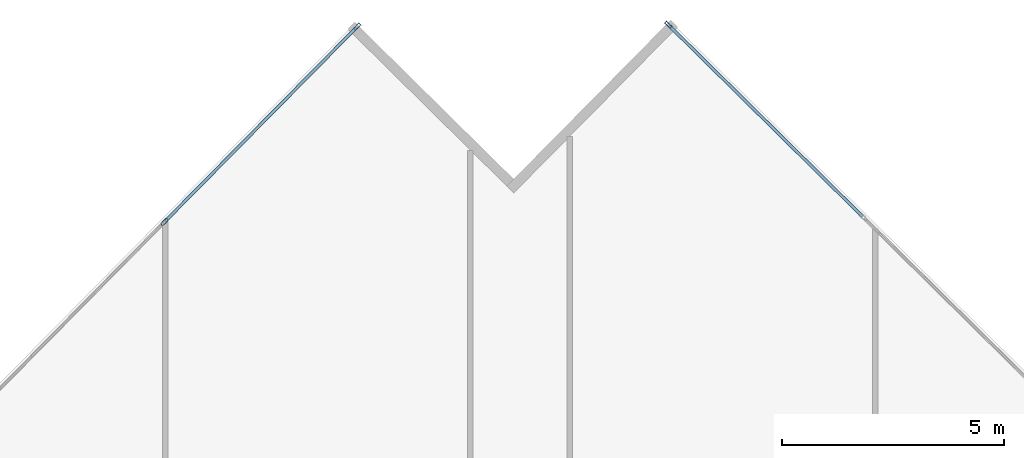
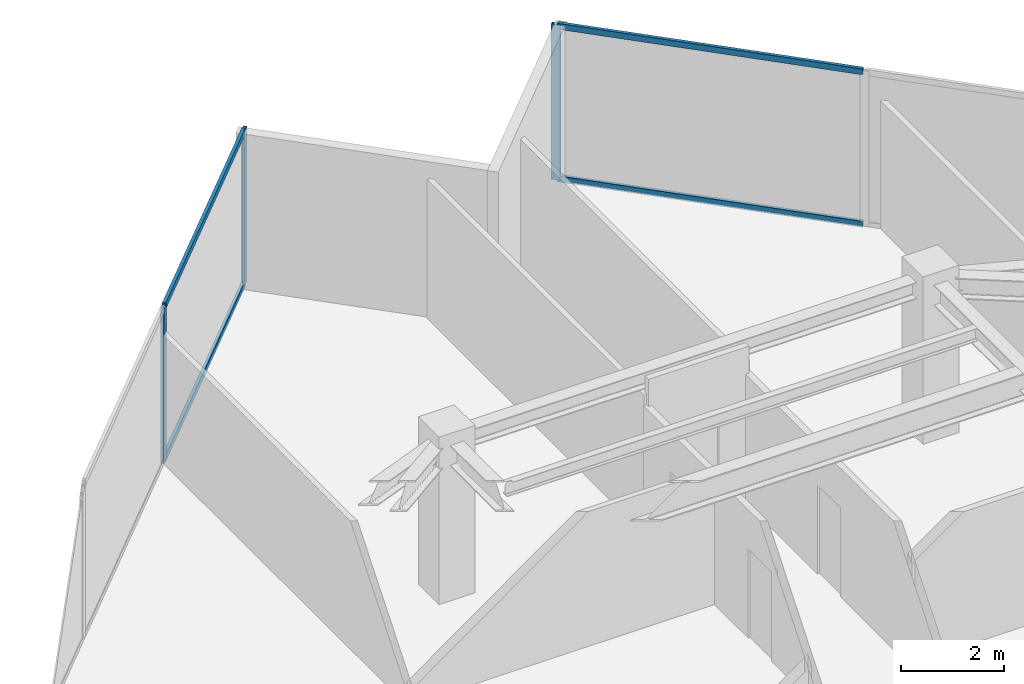
# One storey, part 16 of 24: 7 members, 2 elements without a shape of their own.
"""IFC4 building model written with IfcOpenShell, lengths in metres."""

from ifc_helpers import new_model, si_unit, direction, frame, origin, origin_2d, place, context, subcontext, project, spatial, hollow_rectangle, extrude, source, transform, mapped, material, material_profile, profile_set, type_object, type_shapes, element, aggregate, save


model = new_model("IFC4")

# Units and contexts
model_context = context("Model", 3, precision=1e-05, world=origin(), true_north=direction((0.0, 1.0)))
body_context = subcontext(model_context, "Body", "Model", "MODEL_VIEW")
ifc_project = project(units=[si_unit("LENGTHUNIT", "METRE"), si_unit("AREAUNIT", "SQUARE_METRE"), si_unit("VOLUMEUNIT", "CUBIC_METRE"), si_unit("PLANEANGLEUNIT", "RADIAN"), si_unit("MASSUNIT", "GRAM", prefix="KILO")], contexts=[model_context])

# Site, building, storey
site_placement = place(None, origin())
site = spatial("IfcSite", under=ifc_project, at=site_placement, CompositionType="ELEMENT")
building_placement = place(site_placement, origin())
building = spatial("IfcBuilding", under=site, at=building_placement, Name="Krantzveldt Concourse Tower", CompositionType="ELEMENT")
storey_placement = place(building_placement, frame((0.0, 0.0, 231.0)))
storey = spatial("IfcBuildingStorey", under=building, at=storey_placement, Name="L56", CompositionType="ELEMENT", Elevation=231.0)

# Curtain wall, members
ifc_material = material(Name="Anodised aluminium 6063-T6", Category="aluminium")
curtain_wall_type = type_object("IfcCurtainWallType", Name="CW3", PredefinedType="USERDEFINED", material=ifc_material)
curtain_wall_1_placement = place(storey_placement, origin())
curtain_wall_1 = element("IfcCurtainWall", 1, at=curtain_wall_1_placement, inside=storey, type_object=curtain_wall_type, Name="CW-L56-F01", ObjectType="UNITISED CURTAIN WALL", PredefinedType="USERDEFINED")
ifc_material_profile_1 = material_profile(ifc_material, hollow_rectangle(XDim=0.070068359375, YDim=0.179931640625, WallThickness=0.0048828125, at=origin_2d()), Name="Anodised aluminium 6063-T6", Category="aluminium")
ifc_profile_set_1 = profile_set([ifc_material_profile_1], Name="Anodised aluminium 6063-T6 - ALU-MULL 180x70x5")
member_type_1 = type_object("IfcMemberType", Name="CW-MUL-180", PredefinedType="MULLION", material=ifc_profile_set_1)
shared_shape_1 = source(origin(), body_context, "Body", "SweptSolid", [
    extrude(hollow_rectangle(XDim=0.070068359375, YDim=0.179931640625, WallThickness=0.0048828125, at=origin_2d()), origin(), (0.0, 0.0, 1.0), 3.669921875),
])
type_shapes(member_type_1, [shared_shape_1])
member_1_placement = place(storey_placement, frame((32.33740234375, 52.0439453125, 0.0), z_axis=(0.0, 0.0, 1.0), x_axis=(0.711719700179, -0.702463570854, 0.0)))
member_1 = element("IfcMember", 2, at=member_1_placement, type_object=member_type_1, Name="CW-Z34 mullion 1", PredefinedType="MULLION", context=body_context, shape_type="MappedRepresentation", body=[
    mapped(shared_shape_1, transform((0.0, 0.0, 0.0), x_axis=(1.0, 0.0, 0.0), y_axis=(0.0, 1.0, 0.0), z_axis=(0.0, 0.0, 1.0), scale=1.0)),
])
member_2_placement = place(storey_placement, frame((28.006591796875, 47.65625, 0.0), z_axis=(0.0, 0.0, 1.0), x_axis=(0.711719700179, -0.702463570854, 0.0)))
member_2 = element("IfcMember", 3, at=member_2_placement, type_object=member_type_1, Name="CW-Z34 mullion 2", PredefinedType="MULLION", context=body_context, shape_type="MappedRepresentation", body=[
    mapped(shared_shape_1, transform((0.0, 0.0, 0.0), x_axis=(1.0, 0.0, 0.0), y_axis=(0.0, 1.0, 0.0), z_axis=(0.0, 0.0, 1.0), scale=1.0)),
])

# Curtain wall, member
curtain_wall_2_placement = place(storey_placement, origin())
curtain_wall_2 = element("IfcCurtainWall", 4, at=curtain_wall_2_placement, inside=storey, type_object=curtain_wall_type, Name="CW-L56-F10", ObjectType="UNITISED CURTAIN WALL", PredefinedType="USERDEFINED")
member_3_placement = place(storey_placement, frame((39.33056640625, 52.08984375, 0.0), z_axis=(0.0, 0.0, 1.0), x_axis=(-0.702463570854, -0.711719700179, 0.0)))
member_3 = element("IfcMember", 5, at=member_3_placement, type_object=member_type_1, Name="CW-Z34 mullion 6", PredefinedType="MULLION", context=body_context, shape_type="MappedRepresentation", body=[
    mapped(shared_shape_1, transform((0.0, 0.0, 0.0), x_axis=(1.0, 0.0, 0.0), y_axis=(0.0, 1.0, 0.0), z_axis=(0.0, 0.0, 1.0), scale=1.0)),
])

# Member
ifc_material_profile_2 = material_profile(ifc_material, hollow_rectangle(XDim=0.070068359375, YDim=0.139892578125, WallThickness=0.0048828125, at=origin_2d()), Name="Anodised aluminium 6063-T6", Category="aluminium")
ifc_profile_set_2 = profile_set([ifc_material_profile_2], Name="Anodised aluminium 6063-T6 - ALU-TRAN 140x70x5")
member_type_2 = type_object("IfcMemberType", Name="CW-TRN-150", PredefinedType="USERDEFINED", material=ifc_profile_set_2)
shared_shape_2 = source(origin(), body_context, "Body", "SweptSolid", [
    extrude(hollow_rectangle(XDim=0.070068359375, YDim=0.139892578125, WallThickness=0.0048828125, at=origin_2d()), origin(), (0.0, 0.0, 1.0), 6.094970703125),
])
type_shapes(member_type_2, [shared_shape_2])
member_4_placement = place(storey_placement, frame((32.312744140625, 52.01904296875, 0.034912109375), z_axis=(-0.702465157511, -0.711718134154, 0.0), x_axis=(0.711718134154, -0.702465157511, 0.0)))
member_4 = element("IfcMember", 6, at=member_4_placement, type_object=member_type_2, Name="CW-Z34 transom 1.1", ObjectType="TRANSOM", PredefinedType="USERDEFINED", context=body_context, shape_type="MappedRepresentation", body=[
    mapped(shared_shape_2, transform((0.0, 0.0, 0.0), x_axis=(1.0, 0.0, 0.0), y_axis=(0.0, 1.0, 0.0), z_axis=(0.0, 0.0, 1.0), scale=1.0)),
])

member_5_placement = place(storey_placement, frame((32.312744140625, 52.01904296875, 3.635009765625), z_axis=(-0.702465157511, -0.711718134154, 0.0), x_axis=(0.711718134154, -0.702465157511, 0.0)))
member_5 = element("IfcMember", 7, at=member_5_placement, type_object=member_type_2, Name="CW-Z34 transom 1.2", ObjectType="TRANSOM", PredefinedType="USERDEFINED", context=body_context, shape_type="MappedRepresentation", body=[
    mapped(shared_shape_2, transform((0.0, 0.0, 0.0), x_axis=(1.0, 0.0, 0.0), y_axis=(0.0, 1.0, 0.0), z_axis=(0.0, 0.0, 1.0), scale=1.0)),
])

aggregate(curtain_wall_1, [member_1, member_2, member_4, member_5])

member_6_placement = place(storey_placement, frame((43.693359375, 47.78369140625, 0.034912109375), z_axis=(-0.711718134154, 0.702465157511, 0.0), x_axis=(-0.702465157511, -0.711718134154, 0.0)))
member_6 = element("IfcMember", 8, at=member_6_placement, type_object=member_type_2, Name="CW-Z34 transom 5.1", ObjectType="TRANSOM", PredefinedType="USERDEFINED", context=body_context, shape_type="MappedRepresentation", body=[
    mapped(shared_shape_2, transform((0.0, 0.0, 0.0), x_axis=(1.0, 0.0, 0.0), y_axis=(0.0, 1.0, 0.0), z_axis=(0.0, 0.0, 1.0), scale=1.0)),
])

member_7_placement = place(storey_placement, frame((43.693359375, 47.78369140625, 3.635009765625), z_axis=(-0.711718134154, 0.702465157511, 0.0), x_axis=(-0.702465157511, -0.711718134154, 0.0)))
member_7 = element("IfcMember", 9, at=member_7_placement, type_object=member_type_2, Name="CW-Z34 transom 5.2", ObjectType="TRANSOM", PredefinedType="USERDEFINED", context=body_context, shape_type="MappedRepresentation", body=[
    mapped(shared_shape_2, transform((0.0, 0.0, 0.0), x_axis=(1.0, 0.0, 0.0), y_axis=(0.0, 1.0, 0.0), z_axis=(0.0, 0.0, 1.0), scale=1.0)),
])

aggregate(curtain_wall_2, [member_3, member_6, member_7])

save(model, "model.ifc")
